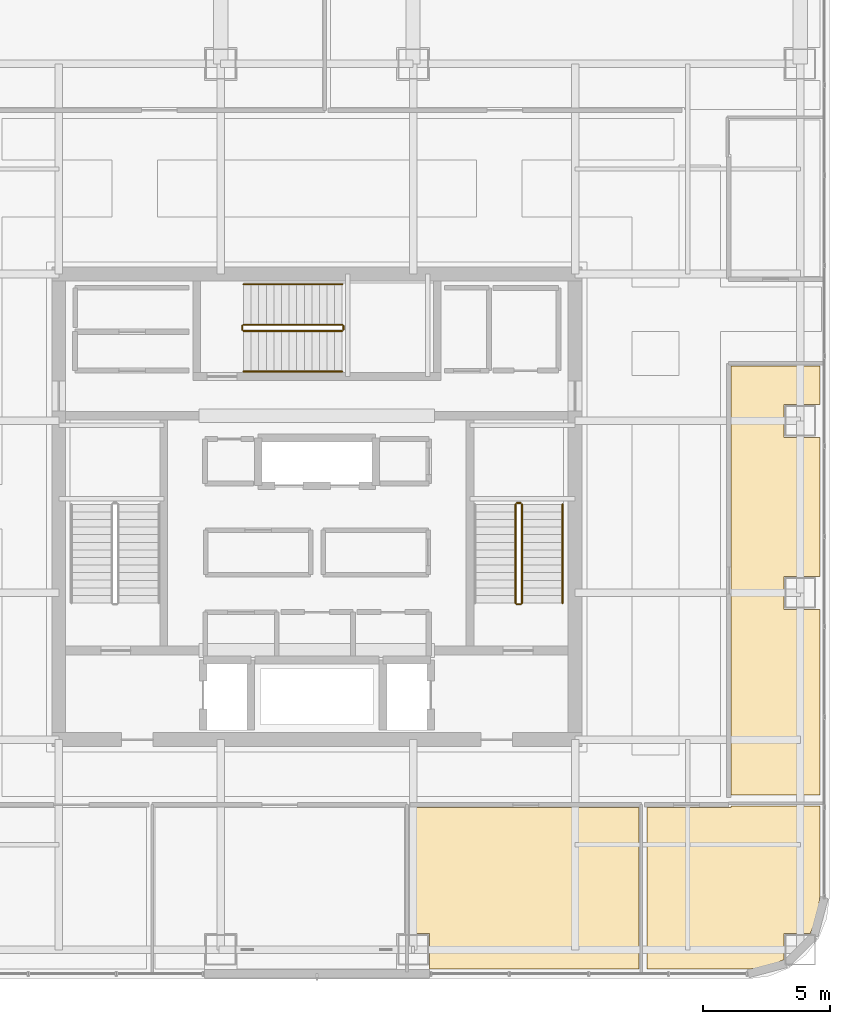
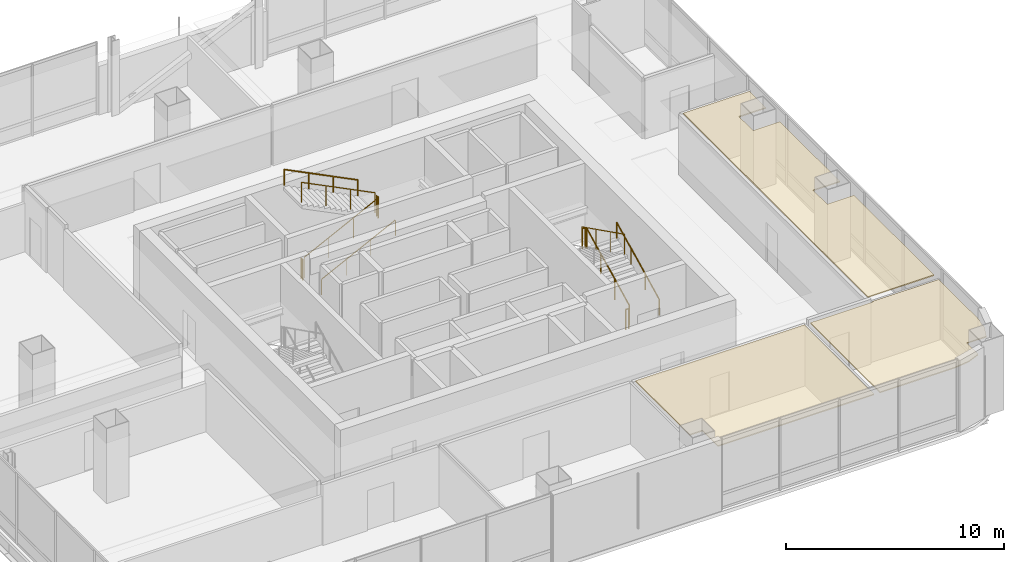
# One storey, part 40 of 43: 11 railings, 3 coverings.
"""IFC4 building model written with IfcOpenShell, lengths in metres."""

from ifc_helpers import new_model, si_unit, direction, frame, origin, origin_2d, place, context, subcontext, project, spatial, polyline, circle, outline, extrude, material, layer, layer_set, type_object, element, save


model = new_model("IFC4")

# Units and contexts
model_context = context("Model", 3, precision=1e-05, world=origin(), true_north=direction((0.0, 1.0)))
body_context = subcontext(model_context, "Body", "Model", "MODEL_VIEW")
ifc_project = project(units=[si_unit("LENGTHUNIT", "METRE"), si_unit("AREAUNIT", "SQUARE_METRE"), si_unit("VOLUMEUNIT", "CUBIC_METRE"), si_unit("PLANEANGLEUNIT", "RADIAN"), si_unit("MASSUNIT", "GRAM", prefix="KILO")], contexts=[model_context])

# Site, building, storey
site_placement = place(None, origin())
site = spatial("IfcSite", under=ifc_project, at=site_placement, CompositionType="ELEMENT")
building_placement = place(site_placement, origin())
building = spatial("IfcBuilding", under=site, at=building_placement, Name="Punatoya Terracotta Tower", CompositionType="ELEMENT")
storey_placement = place(building_placement, frame((0.0, 0.0, 300.60009765625)))
storey = spatial("IfcBuildingStorey", under=building, at=storey_placement, Name="L71", CompositionType="ELEMENT", Elevation=300.60009765625)

# Coverings
ifc_material_1 = material(Name="Acoustic Mineral Fibre Ceiling")
ifc_layer = layer(ifc_material_1, 0.06005859375)
ifc_layer_set = layer_set([ifc_layer], Name="Acoustic Mineral Fibre Ceiling")
covering_type = type_object("IfcCoveringType", Name="COV-CEIL-60", PredefinedType="CEILING", material=ifc_layer_set)
covering_1_placement = place(storey_placement, frame((0.0, 0.0, 3.389892578125)))
element("IfcCovering", 1, at=covering_1_placement, inside=storey, type_object=covering_type, Name="L71 Open-Plan Client Strategy Boardroom Acoustic Ceiling", PredefinedType="CEILING", context=body_context, shape_type="SweptSolid", body=[
    extrude(outline(polyline([(4.449951171875, -18.27001953125), (12.718994140625, -18.27001953125), (12.718994140625, -11.8701171875), (3.779052734375, -11.8701171875), (3.779052734375, -16.85009765625), (4.449951171875, -16.85009765625), (4.449951171875, -18.27001953125)])), origin(), (0.0, 0.0, 1.0), 0.06005859375),
])
covering_2_placement = place(storey_placement, frame((0.0, 0.0, 3.389892578125)))
element("IfcCovering", 2, at=covering_2_placement, inside=storey, type_object=covering_type, Name="L71 Open-Plan Executive Briefing Room Acoustic Ceiling", PredefinedType="CEILING", context=body_context, shape_type="SweptSolid", body=[
    extrude(outline(polyline([(16.3701171875, -11.8701171875), (13.0390625, -11.8701171875), (13.0390625, -18.27001953125), (17.025146484375, -18.27001953125), (17.779052734375, -18.1708984375), (18.449951171875, -17.892822265625), (18.449951171875, -16.85009765625), (19.492919921875, -16.85009765625), (19.770751953125, -16.178955078125), (19.8701171875, -15.425048828125), (19.8701171875, -11.81005859375), (16.3701171875, -11.81005859375), (16.3701171875, -11.8701171875)])), origin(), (0.0, 0.0, 1.0), 0.06005859375),
])
covering_3_placement = place(storey_placement, frame((0.0, 0.0, 3.389892578125)))
element("IfcCovering", 3, at=covering_3_placement, inside=storey, type_object=covering_type, Name="L71 Open-Plan Delegate Reception Lounge Acoustic Ceiling", PredefinedType="CEILING", context=body_context, shape_type="SweptSolid", body=[
    extrude(outline(polyline([(16.3701171875, 5.570068359375), (16.3701171875, -11.389892578125), (19.8701171875, -11.389892578125), (19.8701171875, -4.050048828125), (18.449951171875, -4.050048828125), (18.449951171875, -2.75), (19.8701171875, -2.75), (19.8701171875, 2.75), (18.449951171875, 2.75), (18.449951171875, 4.050048828125), (19.8701171875, 4.050048828125), (19.8701171875, 5.570068359375), (16.3701171875, 5.570068359375)])), origin(), (0.0, 0.0, 1.0), 0.06005859375),
])

# Railings
ifc_material_2 = material(Name="Steel S355", Category="steel")
railing_type_1 = type_object("IfcRailingType", Name="RLG-GRD-1150", PredefinedType="GUARDRAIL", material=ifc_material_2)
railing_1_placement = place(storey_placement, frame((8.10009765625, -3.800048828125, 0.14990234375)))
element("IfcRailing", 4, at=railing_1_placement, inside=storey, type_object=railing_type_1, Name="L71 ST-2 stair guard 1", PredefinedType="GUARDRAIL", context=body_context, shape_type="SweptSolid", body=[
    extrude(circle(Radius=0.02392578125, at=origin_2d()), frame((0.0, 0.0, 1.1259765625), z_axis=(0.0, 0.894438388696, 0.447191199406), x_axis=(-1.0, 0.0, 0.0)), (0.0, 0.0, 1.0), 4.3603515625),
    extrude(circle(Radius=0.02099609375, at=origin_2d()), origin(), (0.0, 0.0, 1.0), 1.101806640625),
    extrude(circle(Radius=0.02099609375, at=origin_2d()), frame((0.0, 1.300048828125, 0.64990234375)), (0.0, 0.0, 1.0), 1.101806640625),
    extrude(circle(Radius=0.02099609375, at=origin_2d()), frame((0.0, 2.60009765625, 1.300048828125)), (0.0, 0.0, 1.0), 1.101806640625),
    extrude(circle(Radius=0.02099609375, at=origin_2d()), frame((0.0, 3.900146484375, 1.949951171875)), (0.0, 0.0, 1.0), 1.101806640625),
])
railing_2_placement = place(storey_placement, frame((8.050048828125, 0.14990234375, 2.099853515625)))
element("IfcRailing", 5, at=railing_2_placement, inside=storey, type_object=railing_type_1, Name="L71 ST-2 stair guard 2", PredefinedType="GUARDRAIL", context=body_context, shape_type="SweptSolid", body=[
    extrude(circle(Radius=0.02392578125, at=origin_2d()), frame((0.0, 0.0, 1.1259765625), z_axis=(-1.0, 0.0, 0.0), x_axis=(0.0, -1.0, 0.0)), (0.0, 0.0, 1.0), 0.150146484375),
    extrude(circle(Radius=0.02099609375, at=origin_2d()), origin(), (0.0, 0.0, 1.0), 1.101806640625),
    extrude(circle(Radius=0.02099609375, at=origin_2d()), frame((-0.150146484375, 0.0, 0.0)), (0.0, 0.0, 1.0), 1.101806640625),
])
railing_3_placement = place(storey_placement, frame((7.85009765625, 0.10009765625, 2.25)))
element("IfcRailing", 6, at=railing_3_placement, inside=storey, type_object=railing_type_1, Name="L71 ST-2 stair guard 3", PredefinedType="GUARDRAIL", context=body_context, shape_type="SweptSolid", body=[
    extrude(circle(Radius=0.02392578125, at=origin_2d()), frame((0.0, 0.0, 1.1259765625), z_axis=(0.0, -0.894438388696, 0.447191199406), x_axis=(1.0, 0.0, 0.0)), (0.0, 0.0, 1.0), 4.3603515625),
    extrude(circle(Radius=0.02099609375, at=origin_2d()), origin(), (0.0, 0.0, 1.0), 1.101806640625),
    extrude(circle(Radius=0.02099609375, at=origin_2d()), frame((0.0, -1.300048828125, 0.64990234375)), (0.0, 0.0, 1.0), 1.101806640625),
    extrude(circle(Radius=0.02099609375, at=origin_2d()), frame((0.0, -2.60009765625, 1.300048828125)), (0.0, 0.0, 1.0), 1.101806640625),
    extrude(circle(Radius=0.02099609375, at=origin_2d()), frame((0.0, -3.900146484375, 1.949951171875)), (0.0, 0.0, 1.0), 1.101806640625),
])
railing_4_placement = place(storey_placement, frame((8.050048828125, -3.85009765625, 0.0)))
element("IfcRailing", 7, at=railing_4_placement, inside=storey, type_object=railing_type_1, Name="L71 ST-2 stair guard 4", PredefinedType="GUARDRAIL", context=body_context, shape_type="SweptSolid", body=[
    extrude(circle(Radius=0.02392578125, at=origin_2d()), frame((0.0, 0.0, 1.1259765625), z_axis=(-1.0, 0.0, 0.0), x_axis=(0.0, -1.0, 0.0)), (0.0, 0.0, 1.0), 0.150146484375),
    extrude(circle(Radius=0.02099609375, at=origin_2d()), origin(), (0.0, 0.0, 1.0), 1.101806640625),
    extrude(circle(Radius=0.02099609375, at=origin_2d()), frame((-0.150146484375, 0.0, 0.0)), (0.0, 0.0, 1.0), 1.101806640625),
])
railing_5_placement = place(storey_placement, frame((-2.89990234375, 6.949951171875, 0.14990234375)))
element("IfcRailing", 8, at=railing_5_placement, inside=storey, type_object=railing_type_1, Name="L71 ST-3 stair guard 1", PredefinedType="GUARDRAIL", context=body_context, shape_type="SweptSolid", body=[
    extrude(circle(Radius=0.02392578125, at=origin_2d()), frame((0.0, 0.0, 1.1259765625), z_axis=(0.894427191, 0.0, 0.4472135955), x_axis=(0.0, 1.0, 0.0)), (0.0, 0.0, 1.0), 4.360107421875),
    extrude(circle(Radius=0.02099609375, at=origin_2d()), origin(), (0.0, 0.0, 1.0), 1.101806640625),
    extrude(circle(Radius=0.02099609375, at=origin_2d()), frame((1.300048828125, 0.0, 0.64990234375)), (0.0, 0.0, 1.0), 1.101806640625),
    extrude(circle(Radius=0.02099609375, at=origin_2d()), frame((2.599853515625, 0.0, 1.300048828125)), (0.0, 0.0, 1.0), 1.101806640625),
    extrude(circle(Radius=0.02099609375, at=origin_2d()), frame((3.89990234375, 0.0, 1.949951171875)), (0.0, 0.0, 1.0), 1.101806640625),
])
railing_6_placement = place(storey_placement, frame((1.050048828125, 7.0, 2.099853515625)))
element("IfcRailing", 9, at=railing_6_placement, inside=storey, type_object=railing_type_1, Name="L71 ST-3 stair guard 2", PredefinedType="GUARDRAIL", context=body_context, shape_type="SweptSolid", body=[
    extrude(circle(Radius=0.02392578125, at=origin_2d()), frame((0.0, 0.0, 1.1259765625), z_axis=(0.0, 1.0, 0.0), x_axis=(-1.0, 0.0, 0.0)), (0.0, 0.0, 1.0), 0.14990234375),
    extrude(circle(Radius=0.02099609375, at=origin_2d()), origin(), (0.0, 0.0, 1.0), 1.101806640625),
    extrude(circle(Radius=0.02099609375, at=origin_2d()), frame((0.0, 0.14990234375, 0.0)), (0.0, 0.0, 1.0), 1.101806640625),
])
railing_7_placement = place(storey_placement, frame((1.0, 7.199951171875, 2.25)))
element("IfcRailing", 10, at=railing_7_placement, inside=storey, type_object=railing_type_1, Name="L71 ST-3 stair guard 3", PredefinedType="GUARDRAIL", context=body_context, shape_type="SweptSolid", body=[
    extrude(circle(Radius=0.02392578125, at=origin_2d()), frame((0.0, 0.0, 1.1259765625), z_axis=(-0.894427191, 0.0, 0.4472135955), x_axis=(0.0, -1.0, 0.0)), (0.0, 0.0, 1.0), 4.360107421875),
    extrude(circle(Radius=0.02099609375, at=origin_2d()), origin(), (0.0, 0.0, 1.0), 1.101806640625),
    extrude(circle(Radius=0.02099609375, at=origin_2d()), frame((-1.300048828125, 0.0, 0.64990234375)), (0.0, 0.0, 1.0), 1.101806640625),
    extrude(circle(Radius=0.02099609375, at=origin_2d()), frame((-2.599853515625, 0.0, 1.300048828125)), (0.0, 0.0, 1.0), 1.101806640625),
    extrude(circle(Radius=0.02099609375, at=origin_2d()), frame((-3.89990234375, 0.0, 1.949951171875)), (0.0, 0.0, 1.0), 1.101806640625),
])
railing_8_placement = place(storey_placement, frame((-2.949951171875, 7.0, 0.0)))
element("IfcRailing", 11, at=railing_8_placement, inside=storey, type_object=railing_type_1, Name="L71 ST-3 stair guard 4", PredefinedType="GUARDRAIL", context=body_context, shape_type="SweptSolid", body=[
    extrude(circle(Radius=0.02392578125, at=origin_2d()), frame((0.0, 0.0, 1.1259765625), z_axis=(0.0, 1.0, 0.0), x_axis=(-1.0, 0.0, 0.0)), (0.0, 0.0, 1.0), 0.14990234375),
    extrude(circle(Radius=0.02099609375, at=origin_2d()), origin(), (0.0, 0.0, 1.0), 1.101806640625),
    extrude(circle(Radius=0.02099609375, at=origin_2d()), frame((0.0, 0.14990234375, 0.0)), (0.0, 0.0, 1.0), 1.101806640625),
])
railing_type_2 = type_object("IfcRailingType", Name="RLG-HND-900", PredefinedType="HANDRAIL", material=ifc_material_2)
railing_9_placement = place(storey_placement, frame((9.699951171875, -3.800048828125, 0.14990234375)))
element("IfcRailing", 12, at=railing_9_placement, inside=storey, type_object=railing_type_2, Name="L71 ST-2 stair handrail 1", PredefinedType="HANDRAIL", context=body_context, shape_type="SweptSolid", body=[
    extrude(circle(Radius=0.02392578125, at=origin_2d()), frame((0.0, 0.0, 0.8759765625), z_axis=(0.0, 0.894438388696, 0.447191199406), x_axis=(-1.0, 0.0, 0.0)), (0.0, 0.0, 1.0), 4.3603515625),
    extrude(circle(Radius=0.02099609375, at=origin_2d()), origin(), (0.0, 0.0, 1.0), 0.851806640625),
    extrude(circle(Radius=0.02099609375, at=origin_2d()), frame((0.0, 1.300048828125, 0.64990234375)), (0.0, 0.0, 1.0), 0.851806640625),
    extrude(circle(Radius=0.02099609375, at=origin_2d()), frame((0.0, 2.60009765625, 1.300048828125)), (0.0, 0.0, 1.0), 0.851806640625),
    extrude(circle(Radius=0.02099609375, at=origin_2d()), frame((0.0, 3.900146484375, 1.949951171875)), (0.0, 0.0, 1.0), 0.851806640625),
])
railing_10_placement = place(storey_placement, frame((-2.89990234375, 5.35009765625, 0.14990234375)))
element("IfcRailing", 13, at=railing_10_placement, inside=storey, type_object=railing_type_2, Name="L71 ST-3 stair handrail 1", PredefinedType="HANDRAIL", context=body_context, shape_type="SweptSolid", body=[
    extrude(circle(Radius=0.02392578125, at=origin_2d()), frame((0.0, 0.0, 0.8759765625), z_axis=(0.894427191, 0.0, 0.4472135955), x_axis=(0.0, 1.0, 0.0)), (0.0, 0.0, 1.0), 4.360107421875),
    extrude(circle(Radius=0.02099609375, at=origin_2d()), origin(), (0.0, 0.0, 1.0), 0.851806640625),
    extrude(circle(Radius=0.02099609375, at=origin_2d()), frame((1.300048828125, 0.0, 0.64990234375)), (0.0, 0.0, 1.0), 0.851806640625),
    extrude(circle(Radius=0.02099609375, at=origin_2d()), frame((2.599853515625, 0.0, 1.300048828125)), (0.0, 0.0, 1.0), 0.851806640625),
    extrude(circle(Radius=0.02099609375, at=origin_2d()), frame((3.89990234375, 0.0, 1.949951171875)), (0.0, 0.0, 1.0), 0.851806640625),
])
railing_11_placement = place(storey_placement, frame((1.0, 8.800048828125, 2.25)))
element("IfcRailing", 14, at=railing_11_placement, inside=storey, type_object=railing_type_2, Name="L71 ST-3 stair handrail 2", PredefinedType="HANDRAIL", context=body_context, shape_type="SweptSolid", body=[
    extrude(circle(Radius=0.02392578125, at=origin_2d()), frame((0.0, 0.0, 0.8759765625), z_axis=(-0.894427191, 0.0, 0.4472135955), x_axis=(0.0, -1.0, 0.0)), (0.0, 0.0, 1.0), 4.360107421875),
    extrude(circle(Radius=0.02099609375, at=origin_2d()), origin(), (0.0, 0.0, 1.0), 0.851806640625),
    extrude(circle(Radius=0.02099609375, at=origin_2d()), frame((-1.300048828125, 0.0, 0.64990234375)), (0.0, 0.0, 1.0), 0.851806640625),
    extrude(circle(Radius=0.02099609375, at=origin_2d()), frame((-2.599853515625, 0.0, 1.300048828125)), (0.0, 0.0, 1.0), 0.851806640625),
    extrude(circle(Radius=0.02099609375, at=origin_2d()), frame((-3.89990234375, 0.0, 1.949951171875)), (0.0, 0.0, 1.0), 0.851806640625),
])

save(model, "model.ifc")
